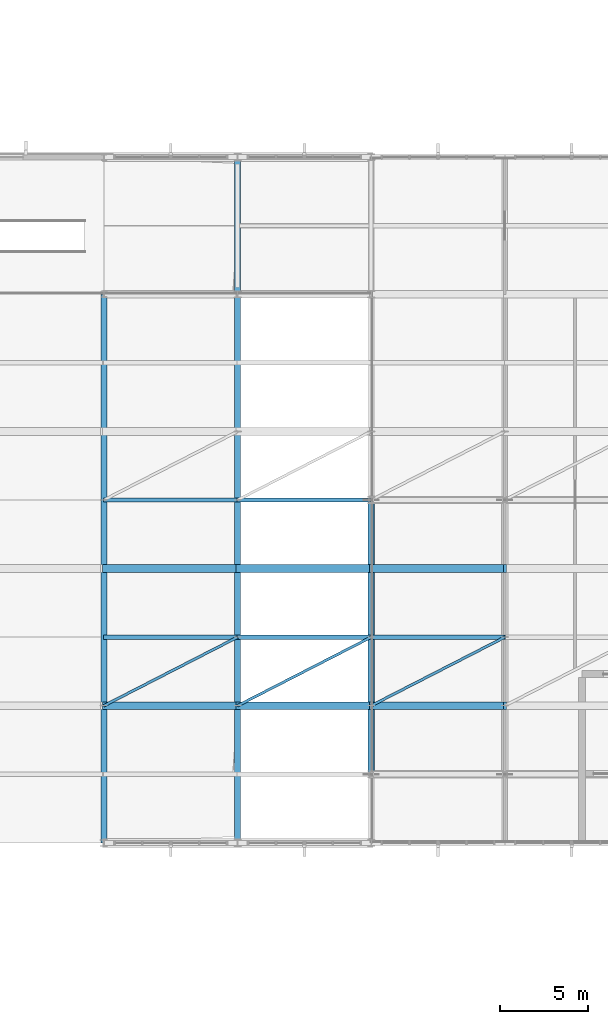
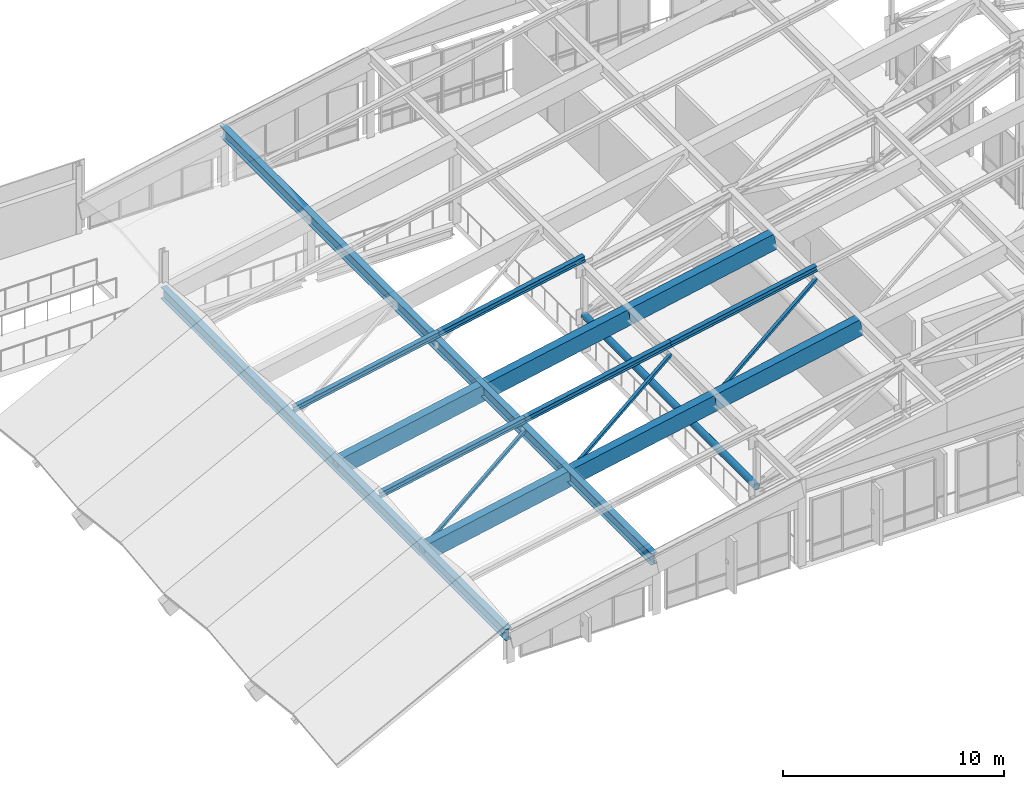
# One storey, part 16 of 73: 11 members, 6 beams.
"""IFC4 building model written with IfcOpenShell, lengths in metres."""

import ifcopenshell
import ifcopenshell.guid

model = None  # the IFC model being written
_history = None  # IfcOwnerHistory: only IFC2X3 demands one
_inside = {}  # id of a spatial element -> (the spatial element, [elements in it])
_under = {}  # id of a project, library or spatial element -> (it, [spatial elements below it])
_declared = {}  # id of a project -> (the project, [libraries it declares])
_typed = {}  # id of a type object -> (the type object, [elements of that type])
_made_of = {}  # id of a material, layer set ... -> (it, [elements and type objects made of it])


def new_model(schema):
    """Start an empty IFC model of exactly this schema.

    Asked for "IFC4X3", IfcOpenShell would pick the latest addendum, in which some entities
    have other attributes; the version numbers below select the first issue.
    IFC2X3 requires an IfcOwnerHistory on every rooted entity: one is made here for all.
    """
    global model, _history
    if schema == "IFC4X3":
        model = ifcopenshell.file(schema_version=(4, 3, 0, 0))
    else:
        model = ifcopenshell.file(schema=schema)
    _inside.clear()
    _under.clear()
    _declared.clear()
    _typed.clear()
    _made_of.clear()
    _history = None
    if model.schema == "IFC2X3":
        org = make("IfcOrganization", Name="unknown")
        user = make(
            "IfcPersonAndOrganization",
            ThePerson=make("IfcPerson", FamilyName="unknown"),
            TheOrganization=org,
        )
        app = make(
            "IfcApplication",
            ApplicationDeveloper=org,
            Version="unknown",
            ApplicationFullName="unknown",
            ApplicationIdentifier="unknown",
        )
        _history = make(
            "IfcOwnerHistory",
            OwningUser=user,
            OwningApplication=app,
            ChangeAction="ADDED",
            CreationDate=0,
        )
    return model


def make(cls, **values):
    """One entity of the class cls with the attributes given. An attribute that is None is left unset."""
    return model.create_entity(
        cls, **{name: value for name, value in values.items() if value is not None}
    )


def rooted(cls, **values):
    """An entity with a GlobalId (a new one), such as an element, a storey or a relation."""
    return make(cls, GlobalId=ifcopenshell.guid.new(), OwnerHistory=_history, **values)


def si_unit(unit_type, name, prefix=None):
    """IfcSIUnit, for example si_unit("LENGTHUNIT", "METRE", prefix="MILLI")."""
    return make("IfcSIUnit", UnitType=unit_type, Prefix=prefix, Name=name)


def assignment(units):
    """IfcUnitAssignment: the units of a project."""
    return None if units is None else make("IfcUnitAssignment", Units=units)


def point(xyz):
    """IfcCartesianPoint."""
    return None if xyz is None else make("IfcCartesianPoint", Coordinates=xyz)


def direction(xyz):
    """IfcDirection."""
    return None if xyz is None else make("IfcDirection", DirectionRatios=xyz)


def frame(location, z_axis=None, x_axis=None):
    """IfcAxis2Placement3D, a coordinate frame: its origin and axes. An axis left out is left unset."""
    return make(
        "IfcAxis2Placement3D",
        Location=point(location),
        Axis=direction(z_axis),
        RefDirection=direction(x_axis),
    )


def frame_2d(location, x_axis=None):
    """IfcAxis2Placement2D, a coordinate frame in the plane: its origin and x axis."""
    return make(
        "IfcAxis2Placement2D", Location=point(location), RefDirection=direction(x_axis)
    )


def origin():
    """The frame at (0, 0, 0) with its axes left unset."""
    return frame((0.0, 0.0, 0.0))


def origin_2d():
    """The frame at (0, 0) in the plane with its x axis left unset."""
    return frame_2d((0.0, 0.0))


def place(relative_to, where):
    """IfcLocalPlacement: puts the frame where relative to a parent placement (None: the world)."""
    return make(
        "IfcLocalPlacement", PlacementRelTo=relative_to, RelativePlacement=where
    )


def context(
    kind, dimensions, precision=None, world=None, true_north=None, identifier=None
):
    """IfcGeometricRepresentationContext, for example the 3D "Model" context."""
    return make(
        "IfcGeometricRepresentationContext",
        ContextIdentifier=identifier,
        ContextType=kind,
        CoordinateSpaceDimension=dimensions,
        Precision=precision,
        WorldCoordinateSystem=world,
        TrueNorth=true_north,
    )


def subcontext(parent, identifier, kind, view, scale=None):
    """IfcGeometricRepresentationSubContext, for example "Body" below "Model"."""
    return make(
        "IfcGeometricRepresentationSubContext",
        ContextIdentifier=identifier,
        ContextType=kind,
        ParentContext=parent,
        TargetScale=scale,
        TargetView=view,
    )


def project(units=None, contexts=None):
    """IfcProject with its units and contexts."""
    return rooted(
        "IfcProject",
        Name="project",
        RepresentationContexts=contexts,
        UnitsInContext=assignment(units),
    )


def spatial(cls, under=None, at=None, **own):
    """A site, building, storey or space (cls), placed at a placement, below another one or the project."""
    s = rooted(cls, ObjectPlacement=at, **own)
    if under is not None:
        _under.setdefault(under.id(), (under, []))[1].append(s)
    return s


def profile(cls, at=None, kind="AREA", **sizes):
    """A parametric profile (cls). Its sizes go by their IFC names, for example OverallWidth=200.0."""
    return make(cls, ProfileType=kind, Position=at, **sizes)


def rectangle(**sizes):
    """IfcRectangleProfileDef."""
    return profile("IfcRectangleProfileDef", **sizes)


def hollow_rectangle(**sizes):
    """IfcRectangleHollowProfileDef."""
    return profile("IfcRectangleHollowProfileDef", **sizes)


def hollow_circle(**sizes):
    """IfcCircleHollowProfileDef."""
    return profile("IfcCircleHollowProfileDef", **sizes)


def i_section(**sizes):
    """IfcIShapeProfileDef."""
    return profile("IfcIShapeProfileDef", **sizes)


def extrude(swept, where, along, depth):
    """IfcExtrudedAreaSolid: the profile swept, set in the frame where, extruded along a direction by depth."""
    return make(
        "IfcExtrudedAreaSolid",
        SweptArea=swept,
        Position=where,
        ExtrudedDirection=direction(along),
        Depth=depth,
    )


def shape(context_of_items, identifier, shape_type, items):
    """IfcShapeRepresentation: the items that make up one representation, for example the "Body"."""
    return make(
        "IfcShapeRepresentation",
        ContextOfItems=context_of_items,
        RepresentationIdentifier=identifier,
        RepresentationType=shape_type,
        Items=items,
    )


def material(Name=None, Category=None):
    """IfcMaterial."""
    return make("IfcMaterial", Name=Name, Category=Category)


def material_profile(
    of_material, cross_section, Name=None, Category=None, Priority=None
):
    """IfcMaterialProfile: a cross section and its material."""
    return make(
        "IfcMaterialProfile",
        Name=Name,
        Material=of_material,
        Profile=cross_section,
        Priority=Priority,
        Category=Category,
    )


def profile_set(profiles, Name=None, composite=None):
    """IfcMaterialProfileSet."""
    return make(
        "IfcMaterialProfileSet",
        Name=Name,
        MaterialProfiles=profiles,
        CompositeProfile=composite,
    )


def made_of(thing, what):
    """Note that an element or type object is made of a material, layer set ...; save() writes the relation."""
    if what is not None:
        _made_of.setdefault(what.id(), (what, []))[1].append(thing)
    return thing


def type_object(cls, material=None, **own):
    """A type object (cls), such as IfcWallType, which elements share."""
    return made_of(rooted(cls, **own), material)


def element(
    cls,
    number,
    at=None,
    inside=None,
    cuts=None,
    type_object=None,
    material=None,
    context=None,
    identifier="Body",
    shape_type=None,
    held_by="IfcProductDefinitionShape",
    body=None,
    shapes=None,
    **own,
):
    """One element of the class cls, such as IfcWall. Its Tag is "e" and its number.

    at: its placement. inside: the storey or other place that contains it. cuts: it is an
    opening in that element (IfcRelVoidsElement). A single representation is given by context,
    identifier, shape_type and body (its items); several are given by shapes. held_by: the class
    of the entity that holds the representations. save() writes the other relations.
    """
    e = rooted(cls, Tag="e%d" % number, ObjectPlacement=at, **own)
    if body is not None:
        shapes = [shape(context, identifier, shape_type, body)]
    if shapes is not None:
        e.Representation = make(held_by, Representations=shapes)
    if inside is not None:
        _inside.setdefault(inside.id(), (inside, []))[1].append(e)
    if cuts is not None:
        rooted(
            "IfcRelVoidsElement", RelatingBuildingElement=cuts, RelatedOpeningElement=e
        )
    if type_object is not None:
        _typed.setdefault(type_object.id(), (type_object, []))[1].append(e)
    return made_of(e, material)


def aggregate(whole, parts):
    """IfcRelAggregates: a whole, such as a stair, and the parts it consists of."""
    return rooted("IfcRelAggregates", RelatingObject=whole, RelatedObjects=parts)


def save(model, path):
    """Write the relations noted so far, then the file.

    IfcRelAggregates (storeys below a building ...), IfcRelContainedInSpatialStructure (elements
    in a storey), IfcRelDefinesByType, IfcRelAssociatesMaterial and IfcRelDeclares: one each for
    every whole, place, type object, material and project.
    """
    for whole, parts in _under.values():
        aggregate(whole, parts)
    for where, things in _inside.values():
        rooted(
            "IfcRelContainedInSpatialStructure",
            RelatedElements=things,
            RelatingStructure=where,
        )
    for kind, things in _typed.values():
        rooted("IfcRelDefinesByType", RelatedObjects=things, RelatingType=kind)
    for what, things in _made_of.values():
        rooted("IfcRelAssociatesMaterial", RelatedObjects=things, RelatingMaterial=what)
    for by, libraries in _declared.values():
        rooted("IfcRelDeclares", RelatingContext=by, RelatedDefinitions=libraries)
    model.write(path)


model = new_model("IFC4")

# Units and contexts
model_context = context("Model", 3, precision=1e-05, world=origin(), true_north=direction((0.0, 1.0)))
body_context = subcontext(model_context, "Body", "Model", "MODEL_VIEW")
ifc_project = project(units=[si_unit("LENGTHUNIT", "METRE"), si_unit("AREAUNIT", "SQUARE_METRE"), si_unit("VOLUMEUNIT", "CUBIC_METRE"), si_unit("PLANEANGLEUNIT", "RADIAN"), si_unit("MASSUNIT", "GRAM", prefix="KILO")], contexts=[model_context])

# Site, building, storey
site_placement = place(None, origin())
site = spatial("IfcSite", under=ifc_project, at=site_placement, CompositionType="ELEMENT")
building_placement = place(site_placement, origin())
building = spatial("IfcBuilding", under=site, at=building_placement, Name="Vervanel Yard Central Library", CompositionType="ELEMENT")
storey_placement = place(building_placement, frame((0.0, 0.0, 12.780029296875)))
storey = spatial("IfcBuildingStorey", under=building, at=storey_placement, Name="L03", CompositionType="ELEMENT", Elevation=12.780029296875)

# Beams
ifc_material_1 = material(Name="Concrete C45/55", Category="concrete")
ifc_material_profile_1 = material_profile(ifc_material_1, rectangle(XDim=0.449951171875, YDim=0.89990234375, at=origin_2d()), Name="RC 450x900", Category="concrete")
ifc_profile_set_1 = profile_set([ifc_material_profile_1], Name="Concrete C45/55")
beam_type = type_object("IfcBeamType", Name="Folded Shell Concrete Valley Rib 450x900", PredefinedType="BEAM", material=ifc_profile_set_1)
for number, where, z_axis, x_axis, name in (
    (1, (108.0, 51.0, 1.260009765625), (0.980653304953, 0.0, 0.195752638515), (0.0, 1.0, 0.0), "Folded Shell Valley Rib Bay 3 Y=51.0"),
    (2, (108.0, 58.800048828125, 1.260009765625), (0.980653304953, 0.0, 0.195752638515), (0.0, 1.0, 0.0), "Folded Shell Valley Rib Bay 3 Y=58.8"),
):
    element("IfcBeam", number, at=place(storey_placement, frame(where, z_axis=z_axis, x_axis=x_axis)), inside=storey, type_object=beam_type, Name=name, PredefinedType="BEAM", context=body_context, shape_type="SweptSolid", body=[
        extrude(rectangle(XDim=0.449951171875, YDim=0.89990234375, at=origin_2d()), origin(), (0.0, 0.0, 1.0), 7.75),
    ])
for number, where, z_axis, x_axis, name in (
    (3, (115.60009765625, 51.0, 2.777099609375), (0.980652097773, 0.0, 0.19575868597), (0.0, 1.0, 0.0), "Folded Shell Valley Rib Bay 4 Y=51.0"),
    (4, (115.60009765625, 58.800048828125, 2.777099609375), (0.980652097773, 0.0, 0.19575868597), (0.0, 1.0, 0.0), "Folded Shell Valley Rib Bay 4 Y=58.8"),
):
    element("IfcBeam", number, at=place(storey_placement, frame(where, z_axis=z_axis, x_axis=x_axis)), inside=storey, type_object=beam_type, Name=name, PredefinedType="BEAM", context=body_context, shape_type="SweptSolid", body=[
        extrude(rectangle(XDim=0.449951171875, YDim=0.89990234375, at=origin_2d()), origin(), (0.0, 0.0, 1.0), 7.749755859375),
    ])
for number, where, z_axis, x_axis, name in (
    (5, (123.199951171875, 51.0, 4.294189453125), (0.980659351794, 0.0, 0.195722343485), (0.0, 1.0, 0.0), "Folded Shell Valley Rib Bay 5 Y=51.0"),
    (6, (123.199951171875, 58.800048828125, 4.294189453125), (0.980659351794, 0.0, 0.195722343485), (0.0, 1.0, 0.0), "Folded Shell Valley Rib Bay 5 Y=58.8"),
):
    element("IfcBeam", number, at=place(storey_placement, frame(where, z_axis=z_axis, x_axis=x_axis)), inside=storey, type_object=beam_type, Name=name, PredefinedType="BEAM", context=body_context, shape_type="SweptSolid", body=[
        extrude(rectangle(XDim=0.449951171875, YDim=0.89990234375, at=origin_2d()), origin(), (0.0, 0.0, 1.0), 7.75),
    ])

# Members
ifc_material_2 = material(Name="Steel ASTM A500 Grade C", Category="steel")
ifc_material_profile_2 = material_profile(ifc_material_2, hollow_circle(Radius=0.177734375, WallThickness=0.01171875, at=origin_2d()), Name="HSS14.000X0.500", Category="steel")
ifc_profile_set_2 = profile_set([ifc_material_profile_2], Name="Steel ASTM A500 Grade C")
member_type_1 = type_object("IfcMemberType", Name="Prow Transverse Tie Strut HSS14.000X0.500", PredefinedType="BRACE", material=ifc_profile_set_2)
member_1_placement = place(storey_placement, frame((123.199951171875, 47.10009765625, 1.9140625), z_axis=(0.0, 1.0, 0.0), x_axis=(-1.0, 0.0, 0.0)))
element("IfcMember", 7, at=member_1_placement, inside=storey, type_object=member_type_1, Name="V3 Prow Truss Transverse Tie X=123.2", PredefinedType="BRACE", context=body_context, shape_type="SweptSolid", body=[
    extrude(hollow_circle(Radius=0.177734375, WallThickness=0.01171875, at=origin_2d()), origin(), (0.0, 0.0, 1.0), 15.599853515625),
])
ifc_material_profile_3 = material_profile(ifc_material_2, hollow_rectangle(XDim=0.15234375, YDim=0.15234375, WallThickness=0.0087890625, at=origin_2d()), Name="HSS6X6X3/8", Category="steel")
ifc_profile_set_3 = profile_set([ifc_material_profile_3], Name="Steel ASTM A500 Grade C")
member_type_2 = type_object("IfcMemberType", Name="Roof Diaphragm Plan Brace HSS6X6X3/8", PredefinedType="BRACE", material=ifc_profile_set_3)
member_2_placement = place(storey_placement, frame((108.0, 51.0, 1.43994140625), z_axis=(0.875994995105, 0.449506715445, 0.174861320256), x_axis=(-0.456540603361, 0.889702578103, 0.0)))
element("IfcMember", 8, at=member_2_placement, inside=storey, type_object=member_type_2, Name="Shell Diaphragm Plan Brace B3-2", PredefinedType="BRACE", context=body_context, shape_type="SweptSolid", body=[
    extrude(hollow_rectangle(XDim=0.15234375, YDim=0.15234375, WallThickness=0.0087890625, at=origin_2d()), origin(), (0.0, 0.0, 1.0), 8.676025390625),
])
member_3_placement = place(storey_placement, frame((115.60009765625, 51.0, 2.95703125), z_axis=(0.8759884486, 0.449517796201, 0.17486563075), x_axis=(-0.456552212488, 0.889696620918, 0.0)))
element("IfcMember", 9, at=member_3_placement, inside=storey, type_object=member_type_2, Name="Shell Diaphragm Plan Brace B4-2", PredefinedType="BRACE", context=body_context, shape_type="SweptSolid", body=[
    extrude(hollow_rectangle(XDim=0.15234375, YDim=0.15234375, WallThickness=0.0087890625, at=origin_2d()), origin(), (0.0, 0.0, 1.0), 8.67578125),
])
member_4_placement = place(storey_placement, frame((123.199951171875, 51.0, 4.47412109375), z_axis=(0.875994995105, 0.449506715445, 0.174861320256), x_axis=(-0.456540603361, 0.889702578103, 0.0)))
element("IfcMember", 10, at=member_4_placement, inside=storey, type_object=member_type_2, Name="Shell Diaphragm Plan Brace B5-2", PredefinedType="BRACE", context=body_context, shape_type="SweptSolid", body=[
    extrude(hollow_rectangle(XDim=0.15234375, YDim=0.15234375, WallThickness=0.0087890625, at=origin_2d()), origin(), (0.0, 0.0, 1.0), 8.676025390625),
])
ifc_material_3 = material(Name="Steel ASTM A992 Grade 50", Category="steel")
ifc_material_profile_4 = material_profile(ifc_material_3, i_section(OverallWidth=0.25390625, OverallDepth=0.307373046875, WebThickness=0.0087890625, FlangeThickness=0.0146484375, at=origin_2d()), Name="W12X53", Category="steel")
ifc_profile_set_4 = profile_set([ifc_material_profile_4], Name="Steel ASTM A992 Grade 50")
member_type_3 = type_object("IfcMemberType", Name="Shell Roof Purlin W12X53", PredefinedType="PURLIN", material=ifc_profile_set_4)
for number, where, z_axis, x_axis, name in (
    (11, (108.0, 54.89990234375, 2.07177734375), (0.980653304953, 0.0, 0.195752638515), (0.0, 1.0, 0.0), "Shell Ridge Purlin Bay 3 Y=54.9"),
    (12, (108.0, 62.699951171875, 2.07177734375), (0.980653304953, 0.0, 0.195752638515), (0.0, 1.0, 0.0), "Shell Ridge Purlin Bay 3 Y=62.7"),
):
    element("IfcMember", number, at=place(storey_placement, frame(where, z_axis=z_axis, x_axis=x_axis)), inside=storey, type_object=member_type_3, Name=name, PredefinedType="PURLIN", context=body_context, shape_type="SweptSolid", body=[
        extrude(i_section(OverallWidth=0.25390625, OverallDepth=0.307373046875, WebThickness=0.0087890625, FlangeThickness=0.0146484375, at=origin_2d()), origin(), (0.0, 0.0, 1.0), 7.75),
    ])
for number, where, z_axis, x_axis, name in (
    (13, (115.60009765625, 54.89990234375, 3.5888671875), (0.980652097773, 0.0, 0.19575868597), (0.0, 1.0, 0.0), "Shell Ridge Purlin Bay 4 Y=54.9"),
    (14, (115.60009765625, 62.699951171875, 3.5888671875), (0.980652097773, 0.0, 0.19575868597), (0.0, 1.0, 0.0), "Shell Ridge Purlin Bay 4 Y=62.7"),
):
    element("IfcMember", number, at=place(storey_placement, frame(where, z_axis=z_axis, x_axis=x_axis)), inside=storey, type_object=member_type_3, Name=name, PredefinedType="PURLIN", context=body_context, shape_type="SweptSolid", body=[
        extrude(i_section(OverallWidth=0.25390625, OverallDepth=0.307373046875, WebThickness=0.0087890625, FlangeThickness=0.0146484375, at=origin_2d()), origin(), (0.0, 0.0, 1.0), 7.749755859375),
    ])
member_5_placement = place(storey_placement, frame((123.199951171875, 54.89990234375, 5.10595703125), z_axis=(0.980659351794, 0.0, 0.195722343485), x_axis=(0.0, 1.0, 0.0)))
element("IfcMember", 15, at=member_5_placement, inside=storey, type_object=member_type_3, Name="Shell Ridge Purlin Bay 5 Y=54.9", PredefinedType="PURLIN", context=body_context, shape_type="SweptSolid", body=[
    extrude(i_section(OverallWidth=0.25390625, OverallDepth=0.307373046875, WebThickness=0.0087890625, FlangeThickness=0.0146484375, at=origin_2d()), origin(), (0.0, 0.0, 1.0), 7.75),
])
ifc_material_profile_5 = material_profile(ifc_material_3, i_section(OverallWidth=0.32763671875, OverallDepth=0.622314453125, WebThickness=0.015380859375, FlangeThickness=0.0244140625, at=origin_2d()), Name="W24X131", Category="steel")
ifc_profile_set_5 = profile_set([ifc_material_profile_5], Name="Steel ASTM A992 Grade 50")
member_type_4 = type_object("IfcMemberType", Name="Shell Transverse Rafter W24X131", PredefinedType="RAFTER", material=ifc_profile_set_5)
member_6_placement = place(storey_placement, frame((108.0, 43.199951171875, 1.43994140625), z_axis=(0.0, 1.0, 0.0), x_axis=(-1.0, 0.0, 0.0)))
element("IfcMember", 16, at=member_6_placement, inside=storey, type_object=member_type_4, Name="V3 Folded Shell Transverse Rafter X=108.0", PredefinedType="RAFTER", context=body_context, shape_type="SweptSolid", body=[
    extrude(i_section(OverallWidth=0.32763671875, OverallDepth=0.622314453125, WebThickness=0.015380859375, FlangeThickness=0.0244140625, at=origin_2d()), origin(), (0.0, 0.0, 1.0), 31.199951171875),
])
member_7_placement = place(storey_placement, frame((115.60009765625, 43.199951171875, 2.95703125), z_axis=(0.0, 1.0, 0.0), x_axis=(-1.0, 0.0, 0.0)))
element("IfcMember", 17, at=member_7_placement, inside=storey, type_object=member_type_4, Name="V3 Folded Shell Transverse Rafter X=115.6", PredefinedType="RAFTER", context=body_context, shape_type="SweptSolid", body=[
    extrude(i_section(OverallWidth=0.32763671875, OverallDepth=0.622314453125, WebThickness=0.015380859375, FlangeThickness=0.0244140625, at=origin_2d()), origin(), (0.0, 0.0, 1.0), 39.0),
])

save(model, "model.ifc")
